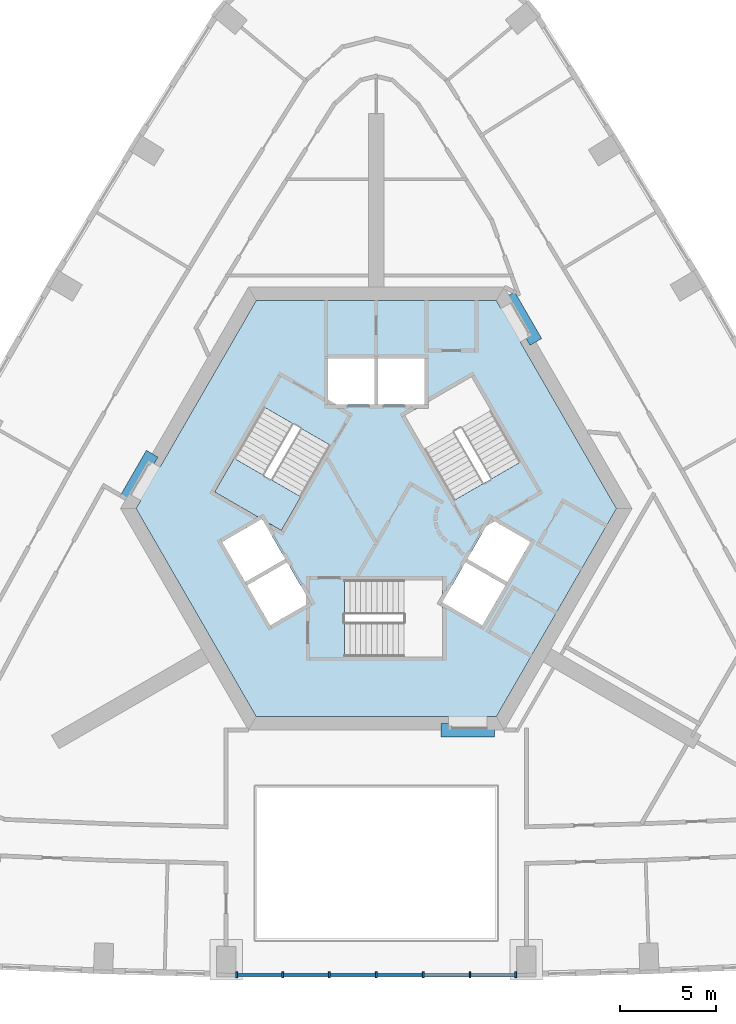
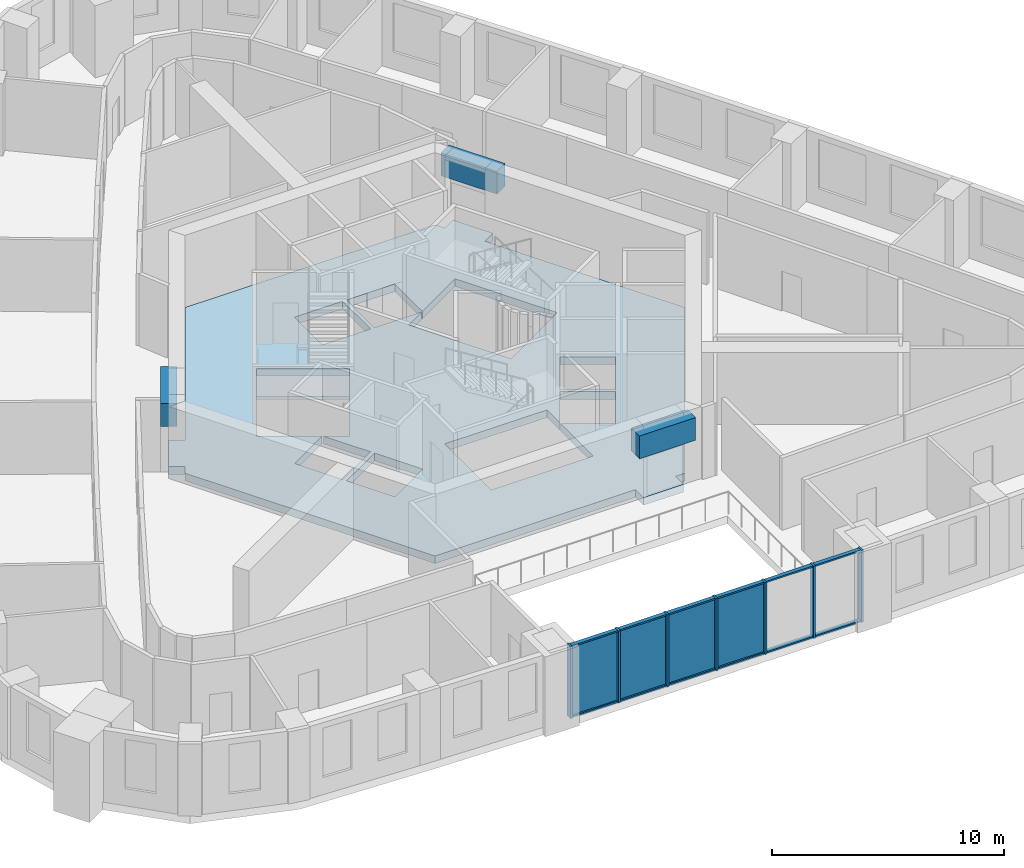
# One storey, part 2 of 11: 19 members, 4 plates, 3 beams, 2 slabs, 2 elements without a shape of their own.
"""IFC4 building model written with IfcOpenShell, lengths in metres."""

from ifc_helpers import new_model, si_unit, direction, frame, origin, origin_2d, place, context, subcontext, project, spatial, polyline, rectangle, outline, extrude, material, layer, layer_set, material_profile, profile_set, type_object, element, aggregate, save


model = new_model("IFC4")

# Units and contexts
model_context = context("Model", 3, precision=1e-05, world=origin(), true_north=direction((0.0, 1.0)))
body_context = subcontext(model_context, "Body", "Model", "MODEL_VIEW")
ifc_project = project(units=[si_unit("LENGTHUNIT", "METRE"), si_unit("AREAUNIT", "SQUARE_METRE"), si_unit("VOLUMEUNIT", "CUBIC_METRE"), si_unit("PLANEANGLEUNIT", "RADIAN"), si_unit("MASSUNIT", "GRAM", prefix="KILO")], contexts=[model_context])

# Site, building, storey
site_placement = place(None, origin())
site = spatial("IfcSite", under=ifc_project, at=site_placement, CompositionType="ELEMENT")
building_placement = place(site_placement, origin())
building = spatial("IfcBuilding", under=site, at=building_placement, Name="Entoto Arch Interchange Tower", CompositionType="ELEMENT")
storey_placement = place(building_placement, frame((0.0, 0.0, 194.0)))
storey = spatial("IfcBuildingStorey", under=building, at=storey_placement, Name="L43", CompositionType="ELEMENT", Elevation=194.0)

# Beams
ifc_material_1 = material(Name="Concrete C50/60", Category="concrete")
ifc_material_profile_1 = material_profile(ifc_material_1, rectangle(XDim=0.699951171875, YDim=1.199951171875, at=origin_2d()))
ifc_profile_set_1 = profile_set([ifc_material_profile_1], Name="Concrete C50/60")
beam_type = type_object("IfcBeamType", Name="Coupling beam RC 700x1200 C50/60", PredefinedType="BEAM", material=ifc_profile_set_1)
for number, where, z_axis, x_axis, name in (
    (1, (8.283935546875, 11.152099609375, 3.0), (-0.500135180047, 0.865947343479, 0.0), (-0.865947343479, -0.500135180047, 0.0), "Coupling beam NE L43"),
    (2, (-11.634033203125, 5.347900390625, 3.0), (-0.500135180047, -0.865947343479, 0.0), (0.865947343479, -0.500135180047, 0.0), "Coupling beam NW L43"),
):
    element("IfcBeam", number, at=place(storey_placement, frame(where, z_axis=z_axis, x_axis=x_axis)), inside=storey, type_object=beam_type, Name=name, PredefinedType="BEAM", context=body_context, shape_type="SweptSolid", body=[
        extrude(rectangle(XDim=0.699951171875, YDim=1.199951171875, at=origin_2d()), origin(), (0.0, 0.0, 1.0), 2.799072265625),
    ])
beam_placement = place(storey_placement, frame((3.35009765625, -9.0, 3.0), z_axis=(1.0, 0.0, 0.0), x_axis=(0.0, 1.0, 0.0)))
element("IfcBeam", 3, at=beam_placement, inside=storey, type_object=beam_type, Name="Coupling beam S L43", PredefinedType="BEAM", context=body_context, shape_type="SweptSolid", body=[
    extrude(rectangle(XDim=0.699951171875, YDim=1.199951171875, at=origin_2d()), origin(), (0.0, 0.0, 1.0), 2.7998046875),
])

# Curtain wall, members
ifc_material_2 = material(Name="Aluminium, anodised", Category="aluminium")
curtain_wall_type = type_object("IfcCurtainWallType", Name="CURTAIN WALL ATRIUM", PredefinedType="NOTDEFINED", material=ifc_material_2)
curtain_wall_placement = place(storey_placement, origin())
curtain_wall = element("IfcCurtainWall", 4, at=curtain_wall_placement, inside=storey, type_object=curtain_wall_type, Name="Atrium glazing S-03 L43", PredefinedType="NOTDEFINED")
ifc_material_profile_2 = material_profile(ifc_material_2, rectangle(XDim=0.300048828125, YDim=0.10009765625, at=origin_2d()))
ifc_profile_set_2 = profile_set([ifc_material_profile_2], Name="Aluminium, anodised")
member_type_1 = type_object("IfcMemberType", Name="MULLION ATRIUM 100x300", PredefinedType="MULLION", material=ifc_profile_set_2)
member_1_placement = place(storey_placement, frame((-7.2490234375, -21.701904296875, 0.0), z_axis=(0.0, 0.0, 1.0), x_axis=(0.0, 1.0, 0.0)))
member_1 = element("IfcMember", 5, at=member_1_placement, type_object=member_type_1, Name="CWA mullion 1", PredefinedType="MULLION", context=body_context, shape_type="SweptSolid", body=[
    extrude(rectangle(XDim=0.300048828125, YDim=0.10009765625, at=origin_2d()), origin(), (0.0, 0.0, 1.0), 3.800048828125),
])
member_2_placement = place(storey_placement, frame((-4.865966796875, -21.701904296875, 0.0), z_axis=(0.0, 0.0, 1.0), x_axis=(0.0, 1.0, 0.0)))
member_2 = element("IfcMember", 6, at=member_2_placement, type_object=member_type_1, Name="CWA mullion 2", PredefinedType="MULLION", context=body_context, shape_type="SweptSolid", body=[
    extrude(rectangle(XDim=0.300048828125, YDim=0.10009765625, at=origin_2d()), origin(), (0.0, 0.0, 1.0), 3.800048828125),
])
member_3_placement = place(storey_placement, frame((-2.43310546875, -21.701904296875, 0.0), z_axis=(0.0, 0.0, 1.0), x_axis=(0.0, 1.0, 0.0)))
member_3 = element("IfcMember", 7, at=member_3_placement, type_object=member_type_1, Name="CWA mullion 3", PredefinedType="MULLION", context=body_context, shape_type="SweptSolid", body=[
    extrude(rectangle(XDim=0.300048828125, YDim=0.10009765625, at=origin_2d()), origin(), (0.0, 0.0, 1.0), 3.800048828125),
])
member_4_placement = place(storey_placement, frame((0.0, -21.701904296875, 0.0), z_axis=(0.0, 0.0, 1.0), x_axis=(0.0, 1.0, 0.0)))
member_4 = element("IfcMember", 8, at=member_4_placement, type_object=member_type_1, Name="CWA mullion 4", PredefinedType="MULLION", context=body_context, shape_type="SweptSolid", body=[
    extrude(rectangle(XDim=0.300048828125, YDim=0.10009765625, at=origin_2d()), origin(), (0.0, 0.0, 1.0), 3.800048828125),
])
member_5_placement = place(storey_placement, frame((2.43310546875, -21.701904296875, 0.0), z_axis=(0.0, 0.0, 1.0), x_axis=(0.0, 1.0, 0.0)))
member_5 = element("IfcMember", 9, at=member_5_placement, type_object=member_type_1, Name="CWA mullion 5", PredefinedType="MULLION", context=body_context, shape_type="SweptSolid", body=[
    extrude(rectangle(XDim=0.300048828125, YDim=0.10009765625, at=origin_2d()), origin(), (0.0, 0.0, 1.0), 3.800048828125),
])
member_6_placement = place(storey_placement, frame((4.865966796875, -21.701904296875, 0.0), z_axis=(0.0, 0.0, 1.0), x_axis=(0.0, 1.0, 0.0)))
member_6 = element("IfcMember", 10, at=member_6_placement, type_object=member_type_1, Name="CWA mullion 6", PredefinedType="MULLION", context=body_context, shape_type="SweptSolid", body=[
    extrude(rectangle(XDim=0.300048828125, YDim=0.10009765625, at=origin_2d()), origin(), (0.0, 0.0, 1.0), 3.800048828125),
])
member_7_placement = place(storey_placement, frame((7.2490234375, -21.701904296875, 0.0), z_axis=(0.0, 0.0, 1.0), x_axis=(0.0, 1.0, 0.0)))
member_7 = element("IfcMember", 11, at=member_7_placement, type_object=member_type_1, Name="CWA mullion 7", PredefinedType="MULLION", context=body_context, shape_type="SweptSolid", body=[
    extrude(rectangle(XDim=0.300048828125, YDim=0.10009765625, at=origin_2d()), origin(), (0.0, 0.0, 1.0), 3.800048828125),
])
ifc_material_profile_3 = material_profile(ifc_material_2, rectangle(XDim=0.199951171875, YDim=0.080078125, at=origin_2d()))
ifc_profile_set_3 = profile_set([ifc_material_profile_3], Name="Aluminium, anodised")
member_type_2 = type_object("IfcMemberType", Name="TRANSOM ATRIUM 80x200", PredefinedType="USERDEFINED", material=ifc_profile_set_3)
member_8_placement = place(storey_placement, frame((-7.198974609375, -21.701904296875, 0.0400390625), z_axis=(1.0, 0.0, 0.0), x_axis=(0.0, 1.0, 0.0)))
member_8 = element("IfcMember", 12, at=member_8_placement, type_object=member_type_2, Name="CWA transom 1.1", ObjectType="TRANSOM", PredefinedType="USERDEFINED", context=body_context, shape_type="SweptSolid", body=[
    extrude(rectangle(XDim=0.199951171875, YDim=0.080078125, at=origin_2d()), origin(), (0.0, 0.0, 1.0), 2.282958984375),
])
member_9_placement = place(storey_placement, frame((-7.198974609375, -21.701904296875, 3.760009765625), z_axis=(1.0, 0.0, 0.0), x_axis=(0.0, 1.0, 0.0)))
member_9 = element("IfcMember", 13, at=member_9_placement, type_object=member_type_2, Name="CWA transom 1.2", ObjectType="TRANSOM", PredefinedType="USERDEFINED", context=body_context, shape_type="SweptSolid", body=[
    extrude(rectangle(XDim=0.199951171875, YDim=0.080078125, at=origin_2d()), origin(), (0.0, 0.0, 1.0), 2.282958984375),
])
member_10_placement = place(storey_placement, frame((-4.81591796875, -21.701904296875, 0.0400390625), z_axis=(1.0, 0.0, 0.0), x_axis=(0.0, 1.0, 0.0)))
member_10 = element("IfcMember", 14, at=member_10_placement, type_object=member_type_2, Name="CWA transom 2.1", ObjectType="TRANSOM", PredefinedType="USERDEFINED", context=body_context, shape_type="SweptSolid", body=[
    extrude(rectangle(XDim=0.199951171875, YDim=0.080078125, at=origin_2d()), origin(), (0.0, 0.0, 1.0), 2.3330078125),
])
member_11_placement = place(storey_placement, frame((-4.81591796875, -21.701904296875, 3.760009765625), z_axis=(1.0, 0.0, 0.0), x_axis=(0.0, 1.0, 0.0)))
member_11 = element("IfcMember", 15, at=member_11_placement, type_object=member_type_2, Name="CWA transom 2.2", ObjectType="TRANSOM", PredefinedType="USERDEFINED", context=body_context, shape_type="SweptSolid", body=[
    extrude(rectangle(XDim=0.199951171875, YDim=0.080078125, at=origin_2d()), origin(), (0.0, 0.0, 1.0), 2.3330078125),
])
member_12_placement = place(storey_placement, frame((-2.383056640625, -21.701904296875, 0.0400390625), z_axis=(1.0, 0.0, 0.0), x_axis=(0.0, 1.0, 0.0)))
member_12 = element("IfcMember", 16, at=member_12_placement, type_object=member_type_2, Name="CWA transom 3.1", ObjectType="TRANSOM", PredefinedType="USERDEFINED", context=body_context, shape_type="SweptSolid", body=[
    extrude(rectangle(XDim=0.199951171875, YDim=0.080078125, at=origin_2d()), origin(), (0.0, 0.0, 1.0), 2.3330078125),
])
member_13_placement = place(storey_placement, frame((-2.383056640625, -21.701904296875, 3.760009765625), z_axis=(1.0, 0.0, 0.0), x_axis=(0.0, 1.0, 0.0)))
member_13 = element("IfcMember", 17, at=member_13_placement, type_object=member_type_2, Name="CWA transom 3.2", ObjectType="TRANSOM", PredefinedType="USERDEFINED", context=body_context, shape_type="SweptSolid", body=[
    extrude(rectangle(XDim=0.199951171875, YDim=0.080078125, at=origin_2d()), origin(), (0.0, 0.0, 1.0), 2.3330078125),
])
member_14_placement = place(storey_placement, frame((0.050048828125, -21.701904296875, 0.0400390625), z_axis=(1.0, 0.0, 0.0), x_axis=(0.0, 1.0, 0.0)))
member_14 = element("IfcMember", 18, at=member_14_placement, type_object=member_type_2, Name="CWA transom 4.1", ObjectType="TRANSOM", PredefinedType="USERDEFINED", context=body_context, shape_type="SweptSolid", body=[
    extrude(rectangle(XDim=0.199951171875, YDim=0.080078125, at=origin_2d()), origin(), (0.0, 0.0, 1.0), 2.3330078125),
])
member_15_placement = place(storey_placement, frame((0.050048828125, -21.701904296875, 3.760009765625), z_axis=(1.0, 0.0, 0.0), x_axis=(0.0, 1.0, 0.0)))
member_15 = element("IfcMember", 19, at=member_15_placement, type_object=member_type_2, Name="CWA transom 4.2", ObjectType="TRANSOM", PredefinedType="USERDEFINED", context=body_context, shape_type="SweptSolid", body=[
    extrude(rectangle(XDim=0.199951171875, YDim=0.080078125, at=origin_2d()), origin(), (0.0, 0.0, 1.0), 2.3330078125),
])
member_16_placement = place(storey_placement, frame((2.48291015625, -21.701904296875, 0.0400390625), z_axis=(1.0, 0.0, 0.0), x_axis=(0.0, 1.0, 0.0)))
member_16 = element("IfcMember", 20, at=member_16_placement, type_object=member_type_2, Name="CWA transom 5.1", ObjectType="TRANSOM", PredefinedType="USERDEFINED", context=body_context, shape_type="SweptSolid", body=[
    extrude(rectangle(XDim=0.199951171875, YDim=0.080078125, at=origin_2d()), origin(), (0.0, 0.0, 1.0), 2.3330078125),
])
member_17_placement = place(storey_placement, frame((2.48291015625, -21.701904296875, 3.760009765625), z_axis=(1.0, 0.0, 0.0), x_axis=(0.0, 1.0, 0.0)))
member_17 = element("IfcMember", 21, at=member_17_placement, type_object=member_type_2, Name="CWA transom 5.2", ObjectType="TRANSOM", PredefinedType="USERDEFINED", context=body_context, shape_type="SweptSolid", body=[
    extrude(rectangle(XDim=0.199951171875, YDim=0.080078125, at=origin_2d()), origin(), (0.0, 0.0, 1.0), 2.3330078125),
])
member_18_placement = place(storey_placement, frame((4.916015625, -21.701904296875, 0.0400390625), z_axis=(1.0, 0.0, 0.0), x_axis=(0.0, 1.0, 0.0)))
member_18 = element("IfcMember", 22, at=member_18_placement, type_object=member_type_2, Name="CWA transom 6.1", ObjectType="TRANSOM", PredefinedType="USERDEFINED", context=body_context, shape_type="SweptSolid", body=[
    extrude(rectangle(XDim=0.199951171875, YDim=0.080078125, at=origin_2d()), origin(), (0.0, 0.0, 1.0), 2.282958984375),
])
member_19_placement = place(storey_placement, frame((4.916015625, -21.701904296875, 3.760009765625), z_axis=(1.0, 0.0, 0.0), x_axis=(0.0, 1.0, 0.0)))
member_19 = element("IfcMember", 23, at=member_19_placement, type_object=member_type_2, Name="CWA transom 6.2", ObjectType="TRANSOM", PredefinedType="USERDEFINED", context=body_context, shape_type="SweptSolid", body=[
    extrude(rectangle(XDim=0.199951171875, YDim=0.080078125, at=origin_2d()), origin(), (0.0, 0.0, 1.0), 2.282958984375),
])

# Slab
ifc_material_3 = material(Name="Concrete C40/50", Category="concrete")
ifc_layer_1 = layer(ifc_material_3, 0.39990234375)
ifc_layer_set_1 = layer_set([ifc_layer_1], Name="Concrete C40/50")
slab_type_1 = type_object("IfcSlabType", Name="Core floor slab 400 C40/50", PredefinedType="FLOOR", material=ifc_layer_set_1)
slab_1_placement = place(storey_placement, frame((0.0, 0.0, -0.39990234375)))
element("IfcSlab", 24, at=slab_1_placement, inside=storey, type_object=slab_type_1, Name="Core floor slab L43", PredefinedType="FLOOR", context=body_context, shape_type="SweptSolid", body=[
    extrude(outline(polyline([(5.75, -9.0), (3.75, -9.0), (3.75, -8.300048828125), (-6.235107421875, -8.300048828125), (-12.470947265625, 2.5), (-12.22802734375, 2.919921875), (-12.833984375, 3.27001953125), (-11.833984375, 5.001953125), (-11.22802734375, 4.652099609375), (-6.235107421875, 13.300048828125), (6.235107421875, 13.300048828125), (6.47802734375, 12.8798828125), (7.083984375, 13.22998046875), (8.083984375, 11.498046875), (7.47802734375, 11.14794921875), (12.470947265625, 2.5), (6.235107421875, -8.300048828125), (5.75, -8.300048828125), (5.75, -9.0)]), holes=[polyline([(-1.64990234375, -5.199951171875), (3.449951171875, -5.199951171875), (3.449951171875, -2.3779296875), (5.5048828125, -3.56494140625), (6.705078125, -1.487060546875), (4.626953125, -0.287109375), (3.449951171875, -2.324951171875), (3.449951171875, -1.199951171875), (-1.64990234375, -1.199951171875), (-1.64990234375, -5.199951171875)]), polyline([(-4.626953125, -0.287109375), (-6.705078125, -1.487060546875), (-5.5048828125, -3.56494140625), (-3.427001953125, -2.364990234375), (-4.626953125, -0.287109375)]), polyline([(-5.904052734375, 1.925048828125), (-4.928955078125, 1.362060546875), (-2.37890625, 5.779052734375), (-5.843017578125, 7.779052734375), (-8.39306640625, 3.362060546875), (-5.949951171875, 1.951904296875), (-8.0048828125, 0.764892578125), (-6.804931640625, -1.31298828125), (-4.72705078125, -0.113037109375), (-5.904052734375, 1.925048828125)]), polyline([(4.72705078125, -0.113037109375), (6.804931640625, -1.31298828125), (8.0048828125, 0.764892578125), (5.927001953125, 1.965087890625), (4.72705078125, -0.113037109375)]), polyline([(2.5, 7.927001953125), (2.5, 10.300048828125), (0.10009765625, 10.300048828125), (0.10009765625, 7.89990234375), (2.452880859375, 7.89990234375), (1.47900390625, 7.337890625), (4.029052734375, 2.9208984375), (7.492919921875, 4.9208984375), (4.943115234375, 9.337890625), (2.5, 7.927001953125)]), polyline([(-2.5, 7.89990234375), (-0.10009765625, 7.89990234375), (-0.10009765625, 10.300048828125), (-2.5, 10.300048828125), (-2.5, 7.89990234375)])]), origin(), (0.0, 0.0, 1.0), 0.39990234375),
])

# Stair, slab
stair_type = type_object("IfcStairType", Name="EXIT STAIR RC 1800", PredefinedType="HALF_TURN_STAIR", material=ifc_material_3)
stair_placement = place(storey_placement, origin())
stair = element("IfcStair", 25, at=stair_placement, inside=storey, type_object=stair_type, Name="L43 Exit stair NW", PredefinedType="HALF_TURN_STAIR")
ifc_layer_2 = layer(ifc_material_3, 0.199951171875)
ifc_layer_set_2 = layer_set([ifc_layer_2], Name="Concrete C40/50")
slab_type_2 = type_object("IfcSlabType", Name="EXIT STAIR LANDING RC 200", PredefinedType="LANDING", material=ifc_layer_set_2)
slab_2_placement = place(storey_placement, frame((0.0, 0.0, 1.89990234375)))
slab_2 = element("IfcSlab", 26, at=slab_2_placement, type_object=slab_type_2, Name="ST-NW landing 1", PredefinedType="LANDING", context=body_context, shape_type="SweptSolid", body=[
    extrude(outline(polyline([(-7.38330078125, 5.111572265625), (-8.393310546875, 3.3623046875), (-4.92919921875, 1.3623046875), (-3.919189453125, 3.111572265625), (-7.38330078125, 5.111572265625)])), origin(), (0.0, 0.0, 1.0), 0.2001953125),
])
aggregate(stair, [slab_2])

# Plate
ifc_material_4 = material(Name="Clear glass, low-e double glazed", Category="glass")
ifc_layer_3 = layer(ifc_material_4, 0.031982421875)
ifc_layer_set_3 = layer_set([ifc_layer_3], Name="Clear glass, low-e double glazed")
plate_type = type_object("IfcPlateType", Name="GLAZING PANEL ATRIUM 32", PredefinedType="CURTAIN_PANEL", material=ifc_layer_set_3)
plate_1_placement = place(storey_placement, frame((-6.0576171875, -21.701904296875, 0.080078125), z_axis=(0.0, 0.0, 1.0), x_axis=(1.0, 0.0, 0.0)))
plate_1 = element("IfcPlate", 27, at=plate_1_placement, type_object=plate_type, Name="CWA panel 1.1", PredefinedType="CURTAIN_PANEL", context=body_context, shape_type="SweptSolid", body=[
    extrude(rectangle(XDim=2.282958984375, YDim=0.031982421875, at=origin_2d()), origin(), (0.0, 0.0, 1.0), 3.639892578125),
])

plate_2_placement = place(storey_placement, frame((-3.6494140625, -21.701904296875, 0.080078125), z_axis=(0.0, 0.0, 1.0), x_axis=(1.0, 0.0, 0.0)))
plate_2 = element("IfcPlate", 28, at=plate_2_placement, type_object=plate_type, Name="CWA panel 2.1", PredefinedType="CURTAIN_PANEL", context=body_context, shape_type="SweptSolid", body=[
    extrude(rectangle(XDim=2.3330078125, YDim=0.031982421875, at=origin_2d()), origin(), (0.0, 0.0, 1.0), 3.639892578125),
])

plate_3_placement = place(storey_placement, frame((-1.216552734375, -21.701904296875, 0.080078125), z_axis=(0.0, 0.0, 1.0), x_axis=(1.0, 0.0, 0.0)))
plate_3 = element("IfcPlate", 29, at=plate_3_placement, type_object=plate_type, Name="CWA panel 3.1", PredefinedType="CURTAIN_PANEL", context=body_context, shape_type="SweptSolid", body=[
    extrude(rectangle(XDim=2.3330078125, YDim=0.031982421875, at=origin_2d()), origin(), (0.0, 0.0, 1.0), 3.639892578125),
])

plate_4_placement = place(storey_placement, frame((1.216552734375, -21.701904296875, 0.080078125), z_axis=(0.0, 0.0, 1.0), x_axis=(1.0, 0.0, 0.0)))
plate_4 = element("IfcPlate", 30, at=plate_4_placement, type_object=plate_type, Name="CWA panel 4.1", PredefinedType="CURTAIN_PANEL", context=body_context, shape_type="SweptSolid", body=[
    extrude(rectangle(XDim=2.3330078125, YDim=0.031982421875, at=origin_2d()), origin(), (0.0, 0.0, 1.0), 3.639892578125),
])

aggregate(curtain_wall, [member_1, member_2, member_3, member_4, member_5, member_6, member_7, member_8, member_9, plate_1, member_10, member_11, plate_2, member_12, member_13, plate_3, member_14, member_15, plate_4, member_16, member_17, member_18, member_19])

save(model, "model.ifc")
